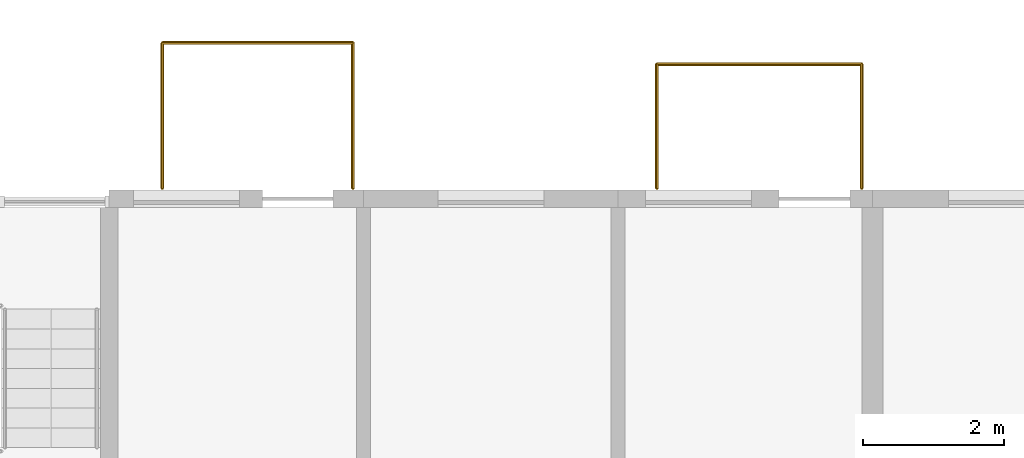
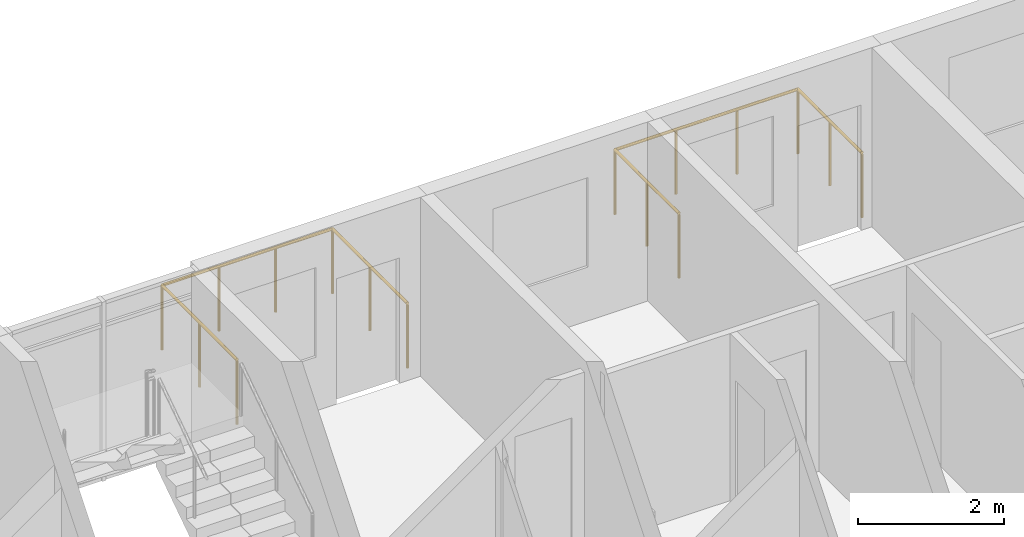
# One storey, part 95 of 98: 2 railings.
"""IFC4 building model written with IfcOpenShell, lengths in metres."""

from ifc_helpers import new_model, si_unit, direction, frame, origin, origin_2d, place, context, subcontext, project, spatial, circle, extrude, material, type_object, element, save


model = new_model("IFC4")

# Units and contexts
model_context = context("Model", 3, precision=1e-05, world=origin(), true_north=direction((0.0, 1.0)))
body_context = subcontext(model_context, "Body", "Model", "MODEL_VIEW")
ifc_project = project(units=[si_unit("LENGTHUNIT", "METRE"), si_unit("AREAUNIT", "SQUARE_METRE"), si_unit("VOLUMEUNIT", "CUBIC_METRE"), si_unit("PLANEANGLEUNIT", "RADIAN"), si_unit("MASSUNIT", "GRAM", prefix="KILO")], contexts=[model_context])

# Site, building, storey
site_placement = place(None, origin())
site = spatial("IfcSite", under=ifc_project, at=site_placement, CompositionType="ELEMENT")
building_placement = place(site_placement, origin())
building = spatial("IfcBuilding", under=site, at=building_placement, Name="Ridgestep Commons", CompositionType="ELEMENT")
storey_placement = place(building_placement, frame((0.0, 0.0, 12.0)))
storey = spatial("IfcBuildingStorey", under=building, at=storey_placement, Name="L04", CompositionType="ELEMENT", Elevation=12.0)

# Railings
ifc_material = material(Name="Weathering steel S355J2W", Category="steel")
railing_type = type_object("IfcRailingType", Name="Tray guard 1100", PredefinedType="GUARDRAIL", material=ifc_material)
railing_1_placement = place(storey_placement, frame((210.950927734375, 77.27099609375, 0.0)))
element("IfcRailing", 1, at=railing_1_placement, inside=storey, type_object=railing_type, Name="Tray guard C4T1-04", PredefinedType="GUARDRAIL", context=body_context, shape_type="SweptSolid", body=[
    extrude(circle(Radius=0.02392578125, at=origin_2d()), frame((0.0, 0.0, 1.076171875), z_axis=(0.0, 1.0, 0.0), x_axis=(-1.0, 0.0, 0.0)), (0.0, 0.0, 1.0), 1.758056640625),
    extrude(circle(Radius=0.02392578125, at=origin_2d()), frame((0.0, 1.758056640625, 1.076171875), z_axis=(1.0, 0.0, 0.0), x_axis=(0.0, 1.0, 0.0)), (0.0, 0.0, 1.0), 2.898193359375),
    extrude(circle(Radius=0.02392578125, at=origin_2d()), frame((2.898193359375, 1.758056640625, 1.076171875), z_axis=(0.0, -1.0, 0.0), x_axis=(1.0, 0.0, 0.0)), (0.0, 0.0, 1.0), 1.758056640625),
    extrude(circle(Radius=0.02099609375, at=origin_2d()), origin(), (0.0, 0.0, 1.0), 1.052001953125),
    extrude(circle(Radius=0.02099609375, at=origin_2d()), frame((0.0, 0.87890625, 0.0)), (0.0, 0.0, 1.0), 1.052001953125),
    extrude(circle(Radius=0.02099609375, at=origin_2d()), frame((0.0, 1.758056640625, 0.0)), (0.0, 0.0, 1.0), 1.052001953125),
    extrude(circle(Radius=0.02099609375, at=origin_2d()), frame((0.966064453125, 1.758056640625, 0.0)), (0.0, 0.0, 1.0), 1.052001953125),
    extrude(circle(Radius=0.02099609375, at=origin_2d()), frame((1.93212890625, 1.758056640625, 0.0)), (0.0, 0.0, 1.0), 1.052001953125),
    extrude(circle(Radius=0.02099609375, at=origin_2d()), frame((2.898193359375, 1.758056640625, 0.0)), (0.0, 0.0, 1.0), 1.052001953125),
    extrude(circle(Radius=0.02099609375, at=origin_2d()), frame((2.898193359375, 0.87890625, 0.0)), (0.0, 0.0, 1.0), 1.052001953125),
    extrude(circle(Radius=0.02099609375, at=origin_2d()), frame((2.898193359375, 0.0, 0.0)), (0.0, 0.0, 1.0), 1.052001953125),
])
railing_2_placement = place(storey_placement, frame((203.950927734375, 77.27099609375, 0.0)))
element("IfcRailing", 2, at=railing_2_placement, inside=storey, type_object=railing_type, Name="Tray guard C4T3-04", PredefinedType="GUARDRAIL", context=body_context, shape_type="SweptSolid", body=[
    extrude(circle(Radius=0.02392578125, at=origin_2d()), frame((0.0, 0.0, 1.076171875), z_axis=(0.0, 1.0, 0.0), x_axis=(-1.0, 0.0, 0.0)), (0.0, 0.0, 1.0), 2.05810546875),
    extrude(circle(Radius=0.02392578125, at=origin_2d()), frame((0.0, 2.05810546875, 1.076171875), z_axis=(1.0, 0.0, 0.0), x_axis=(0.0, 1.0, 0.0)), (0.0, 0.0, 1.0), 2.697998046875),
    extrude(circle(Radius=0.02392578125, at=origin_2d()), frame((2.697998046875, 2.05810546875, 1.076171875), z_axis=(0.0, -1.0, 0.0), x_axis=(1.0, 0.0, 0.0)), (0.0, 0.0, 1.0), 2.05810546875),
    extrude(circle(Radius=0.02099609375, at=origin_2d()), origin(), (0.0, 0.0, 1.0), 1.052001953125),
    extrude(circle(Radius=0.02099609375, at=origin_2d()), frame((0.0, 1.029052734375, 0.0)), (0.0, 0.0, 1.0), 1.052001953125),
    extrude(circle(Radius=0.02099609375, at=origin_2d()), frame((0.0, 2.05810546875, 0.0)), (0.0, 0.0, 1.0), 1.052001953125),
    extrude(circle(Radius=0.02099609375, at=origin_2d()), frame((0.8994140625, 2.05810546875, 0.0)), (0.0, 0.0, 1.0), 1.052001953125),
    extrude(circle(Radius=0.02099609375, at=origin_2d()), frame((1.798583984375, 2.05810546875, 0.0)), (0.0, 0.0, 1.0), 1.052001953125),
    extrude(circle(Radius=0.02099609375, at=origin_2d()), frame((2.697998046875, 2.05810546875, 0.0)), (0.0, 0.0, 1.0), 1.052001953125),
    extrude(circle(Radius=0.02099609375, at=origin_2d()), frame((2.697998046875, 1.029052734375, 0.0)), (0.0, 0.0, 1.0), 1.052001953125),
    extrude(circle(Radius=0.02099609375, at=origin_2d()), frame((2.697998046875, 0.0, 0.0)), (0.0, 0.0, 1.0), 1.052001953125),
])

save(model, "model.ifc")
